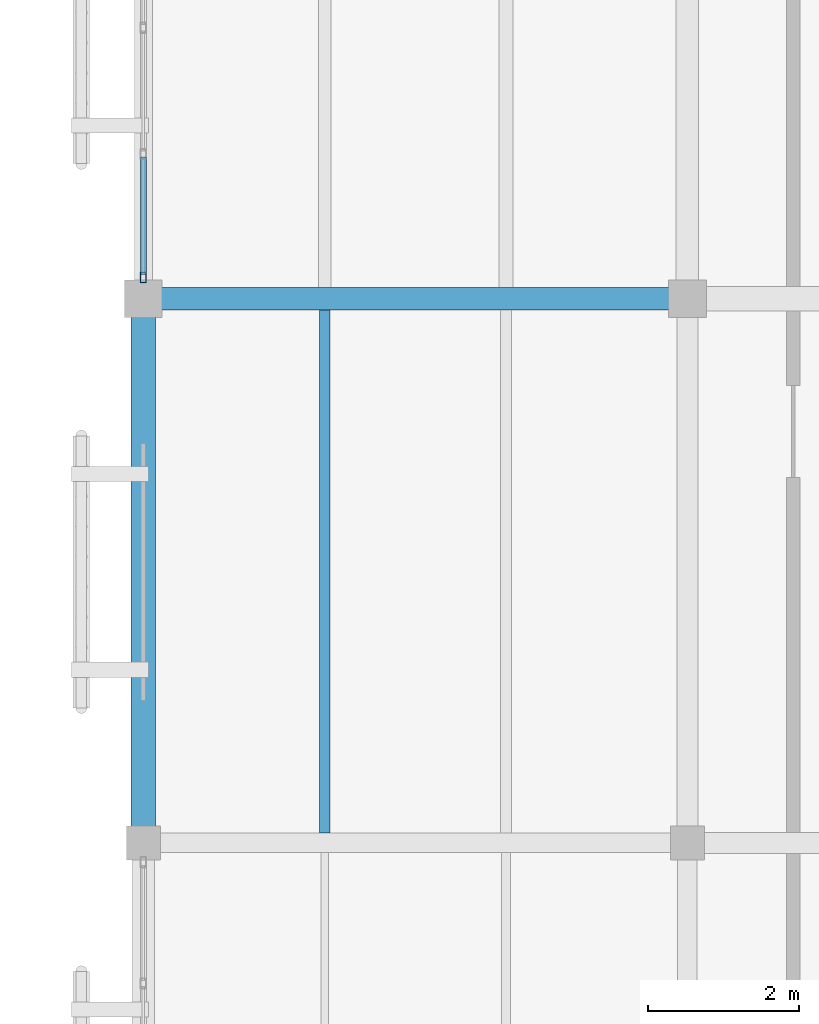
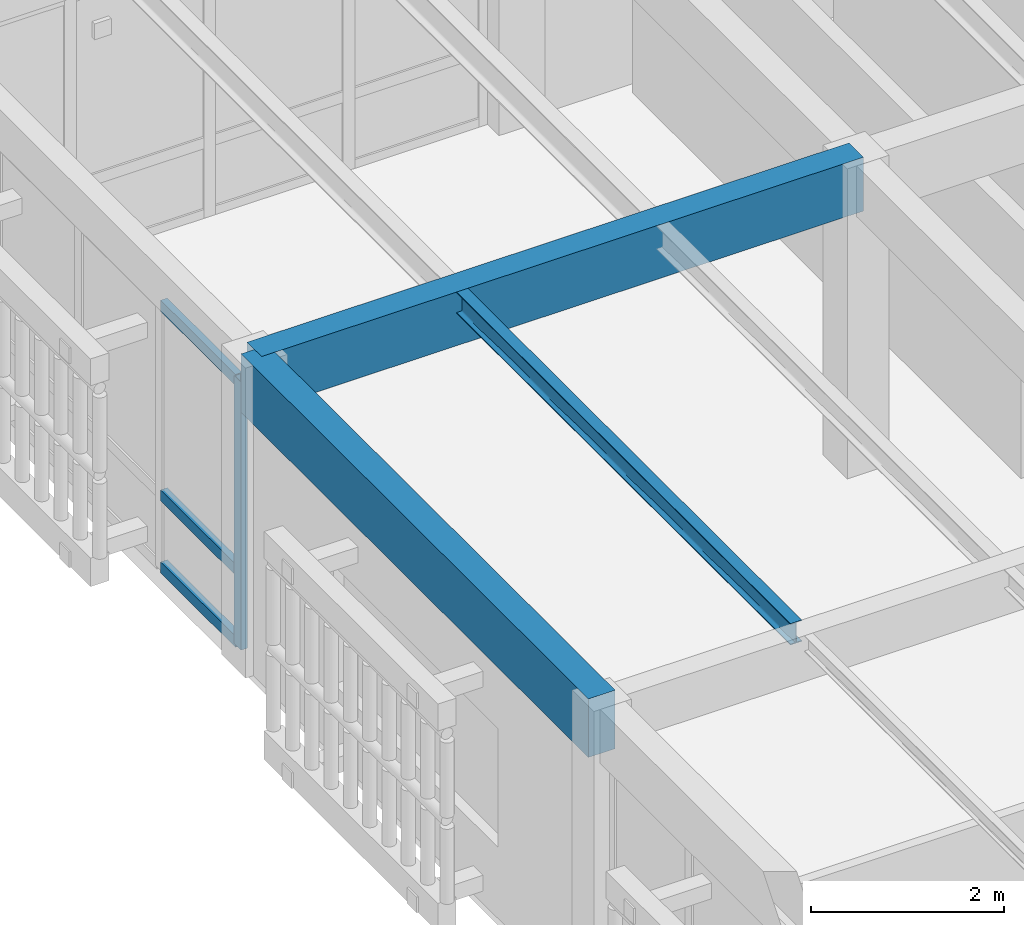
# One storey, part 86 of 170: 4 members, 3 beams, 1 element without a shape of its own.
"""IFC4 building model written with IfcOpenShell, lengths in metres."""

from ifc_helpers import new_model, si_unit, direction, frame, origin, origin_2d, place, context, subcontext, project, spatial, rectangle, hollow_rectangle, i_section, extrude, material, layer, layer_set, material_profile, profile_set, type_object, element, aggregate, save


model = new_model("IFC4")

# Units and contexts
model_context = context("Model", 3, precision=1e-05, world=origin(), true_north=direction((0.0, 1.0)))
body_context = subcontext(model_context, "Body", "Model", "MODEL_VIEW")
ifc_project = project(units=[si_unit("LENGTHUNIT", "METRE"), si_unit("AREAUNIT", "SQUARE_METRE"), si_unit("VOLUMEUNIT", "CUBIC_METRE"), si_unit("PLANEANGLEUNIT", "RADIAN"), si_unit("MASSUNIT", "GRAM", prefix="KILO")], contexts=[model_context])

# Site, building, storey
site_placement = place(None, origin())
site = spatial("IfcSite", under=ifc_project, at=site_placement, CompositionType="ELEMENT")
building_placement = place(site_placement, origin())
building = spatial("IfcBuilding", under=site, at=building_placement, Name="Mazaris Harbour Polytechnic", CompositionType="ELEMENT")
storey_placement = place(building_placement, frame((0.0, 0.0, 5.39990234375)))
storey = spatial("IfcBuildingStorey", under=building, at=storey_placement, Name="L01", CompositionType="ELEMENT", Elevation=5.39990234375)

# Curtain wall, members
ifc_material_1 = material(Name="Anodised Bronze Aluminium and Low-E Glass", Category="aluminium")
ifc_layer = layer(ifc_material_1, 0.169921875, Name="Anodised Bronze Aluminium and Low-E Glass")
ifc_layer_set = layer_set([ifc_layer], Name="Anodised Bronze Aluminium and Low-E Glass")
curtain_wall_type = type_object("IfcCurtainWallType", Name="Studio North-Light Curtain Wall", PredefinedType="NOTDEFINED", material=ifc_layer_set)
curtain_wall_placement = place(storey_placement, origin())
curtain_wall = element("IfcCurtainWall", 1, at=curtain_wall_placement, inside=storey, type_object=curtain_wall_type, Name="V5 L01 Curtain Wall 212", PredefinedType="NOTDEFINED")
ifc_material_2 = material(Name="Anodised Bronze Steel S355", Category="steel")
ifc_material_profile_1 = material_profile(ifc_material_2, hollow_rectangle(XDim=0.080078125, YDim=0.139892578125, WallThickness=0.00634765625, at=origin_2d()), Name="RHS 80x140x6.3")
ifc_profile_set_1 = profile_set([ifc_material_profile_1], Name="Anodised Bronze Steel S355")
member_type_1 = type_object("IfcMemberType", Name="Curtain Mullion RHS80x140", PredefinedType="MULLION", material=ifc_profile_set_1)
member_1_placement = place(storey_placement, frame((122.39990234375, 101.08203125, 0.0), z_axis=(0.0, 0.0, 1.0), x_axis=(-1.0, 0.0, 0.0)))
member_1 = element("IfcMember", 2, at=member_1_placement, type_object=member_type_1, Name="CW-03 mullion 1", PredefinedType="MULLION", context=body_context, shape_type="SweptSolid", body=[
    extrude(hollow_rectangle(XDim=0.080078125, YDim=0.139892578125, WallThickness=0.00634765625, at=origin_2d()), origin(), (0.0, 0.0, 1.0), 3.39013671875),
])
ifc_material_3 = material(Name="Anodised Bronze Steel S355", Category="steel")
ifc_material_profile_2 = material_profile(ifc_material_3, hollow_rectangle(XDim=0.080078125, YDim=0.139892578125, WallThickness=0.00634765625, at=origin_2d()), Name="RHS 80x140x6.3")
ifc_profile_set_2 = profile_set([ifc_material_profile_2], Name="Anodised Bronze Steel S355")
member_type_2 = type_object("IfcMemberType", Name="Curtain Transom RHS80x140", PredefinedType="USERDEFINED", material=ifc_profile_set_2)
member_2_placement = place(storey_placement, frame((122.39990234375, 101.1220703125, 0.0400390625), z_axis=(0.0, 1.0, 0.0), x_axis=(-1.0, 0.0, 0.0)))
member_2 = element("IfcMember", 3, at=member_2_placement, type_object=member_type_2, Name="CW-03 transom 1.1", ObjectType="TRANSOM", PredefinedType="USERDEFINED", context=body_context, shape_type="SweptSolid", body=[
    extrude(hollow_rectangle(XDim=0.080078125, YDim=0.139892578125, WallThickness=0.00634765625, at=origin_2d()), origin(), (0.0, 0.0, 1.0), 1.552734375),
])
member_3_placement = place(storey_placement, frame((122.39990234375, 101.1220703125, 0.9501953125), z_axis=(0.0, 1.0, 0.0), x_axis=(-1.0, 0.0, 0.0)))
member_3 = element("IfcMember", 4, at=member_3_placement, type_object=member_type_2, Name="CW-03 transom 1.2", ObjectType="TRANSOM", PredefinedType="USERDEFINED", context=body_context, shape_type="SweptSolid", body=[
    extrude(hollow_rectangle(XDim=0.080078125, YDim=0.139892578125, WallThickness=0.00634765625, at=origin_2d()), origin(), (0.0, 0.0, 1.0), 1.552734375),
])
member_4_placement = place(storey_placement, frame((122.39990234375, 101.1220703125, 3.35009765625), z_axis=(0.0, 1.0, 0.0), x_axis=(-1.0, 0.0, 0.0)))
member_4 = element("IfcMember", 5, at=member_4_placement, type_object=member_type_2, Name="CW-03 transom 1.3", ObjectType="TRANSOM", PredefinedType="USERDEFINED", context=body_context, shape_type="SweptSolid", body=[
    extrude(hollow_rectangle(XDim=0.080078125, YDim=0.139892578125, WallThickness=0.00634765625, at=origin_2d()), origin(), (0.0, 0.0, 1.0), 1.552734375),
])
aggregate(curtain_wall, [member_1, member_2, member_3, member_4])

# Beams
ifc_material_4 = material(Name="Glulam GL32h", Category="wood")
ifc_material_profile_3 = material_profile(ifc_material_4, rectangle(XDim=0.300048828125, YDim=0.679931640625, at=origin_2d()), Name="RECT300x680")
ifc_profile_set_3 = profile_set([ifc_material_profile_3], Name="Glulam GL32h")
beam_type_1 = type_object("IfcBeamType", Name="Glulam Girder 300x680", PredefinedType="BEAM", material=ifc_profile_set_3)
beam_1_placement = place(storey_placement, frame((122.39990234375, 100.800048828125, 3.580078125), z_axis=(1.0, 0.0, 0.0), x_axis=(0.0, 1.0, 0.0)))
element("IfcBeam", 6, at=beam_1_placement, inside=storey, type_object=beam_type_1, Name="V5 L01 Girder 2953", PredefinedType="BEAM", context=body_context, shape_type="SweptSolid", body=[
    extrude(rectangle(XDim=0.300048828125, YDim=0.679931640625, at=origin_2d()), origin(), (0.0, 0.0, 1.0), 7.2001953125),
])
ifc_material_5 = material(Name="Glulam GL32h", Category="wood")
ifc_material_profile_4 = material_profile(ifc_material_5, rectangle(XDim=0.320068359375, YDim=0.739990234375, at=origin_2d()), Name="RECT320x740")
ifc_profile_set_4 = profile_set([ifc_material_profile_4], Name="Glulam GL32h")
beam_type_2 = type_object("IfcBeamType", Name="Glulam Girder 320x740 Exterior", PredefinedType="BEAM", material=ifc_profile_set_4)
beam_2_placement = place(storey_placement, frame((122.39990234375, 93.60009765625, 3.550048828125), z_axis=(0.0, 1.0, 0.0), x_axis=(-1.0, 0.0, 0.0)))
element("IfcBeam", 7, at=beam_2_placement, inside=storey, type_object=beam_type_2, Name="V5 L01 Tie Girder 2974", PredefinedType="BEAM", context=body_context, shape_type="SweptSolid", body=[
    extrude(rectangle(XDim=0.320068359375, YDim=0.739990234375, at=origin_2d()), origin(), (0.0, 0.0, 1.0), 7.199951171875),
])
ifc_material_6 = material(Name="Steel S355", Category="steel")
ifc_material_profile_5 = material_profile(ifc_material_6, i_section(OverallWidth=0.135009765625, OverallDepth=0.27001953125, WebThickness=0.006591796875, FlangeThickness=0.01025390625, FilletRadius=0.014892578125, at=origin_2d()), Name="IPE 270")
ifc_profile_set_5 = profile_set([ifc_material_profile_5], Name="Steel S355")
beam_type_3 = type_object("IfcBeamType", Name="Steel Joist IPE270", PredefinedType="JOIST", material=ifc_profile_set_5)
beam_3_placement = place(storey_placement, frame((124.800048828125, 93.72998046875, 3.78515625), z_axis=(0.0, 1.0, 0.0), x_axis=(-1.0, 0.0, 0.0)))
element("IfcBeam", 8, at=beam_3_placement, inside=storey, type_object=beam_type_3, Name="V5 L01 Floor Joist 3040", PredefinedType="JOIST", context=body_context, shape_type="SweptSolid", body=[
    extrude(i_section(OverallWidth=0.135009765625, OverallDepth=0.27001953125, WebThickness=0.006591796875, FlangeThickness=0.01025390625, FilletRadius=0.014892578125, at=origin_2d()), origin(), (0.0, 0.0, 1.0), 6.919921875),
])

save(model, "model.ifc")
